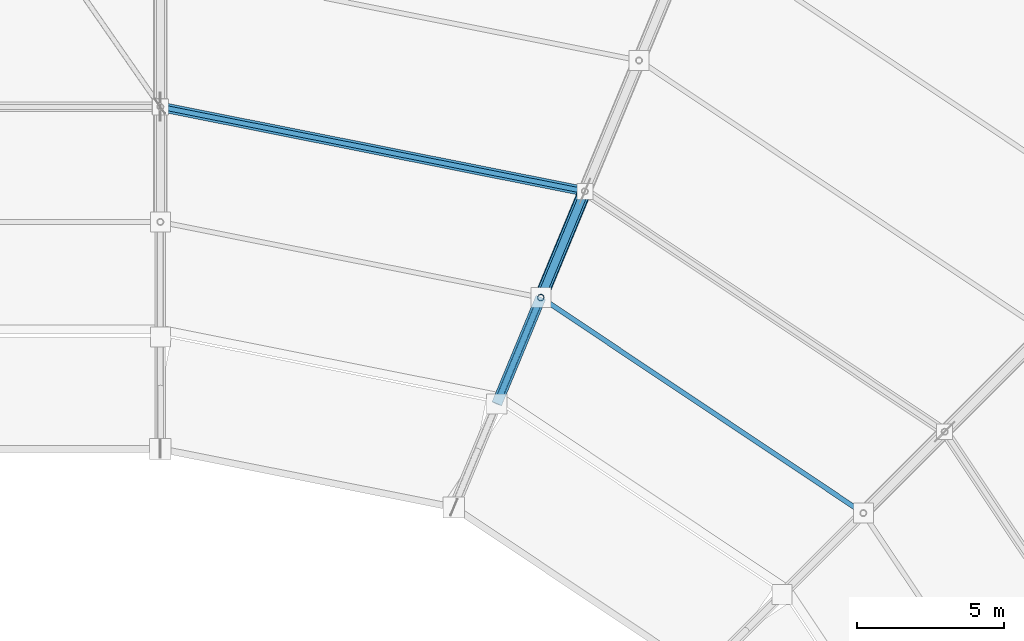
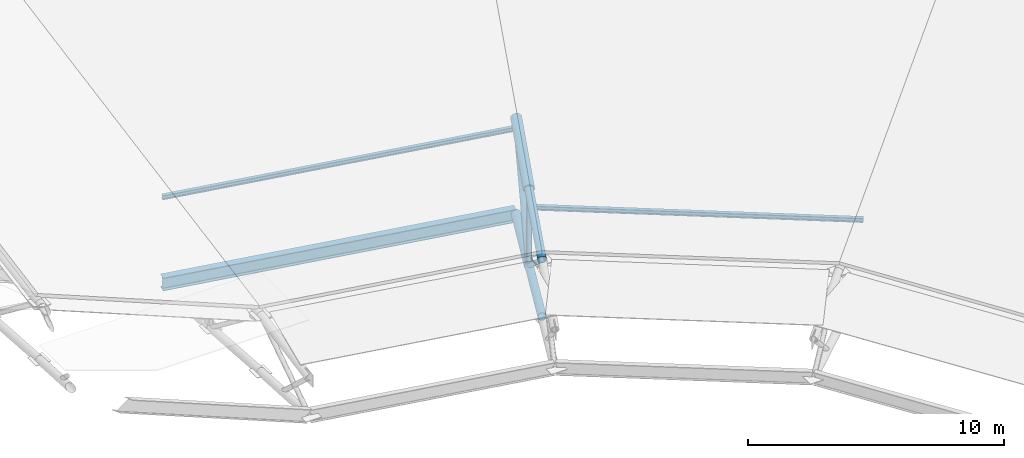
# One storey, part 79 of 146: 9 members, 1 beam.
"""IFC4 building model written with IfcOpenShell, lengths in metres."""

from ifc_helpers import new_model, si_unit, direction, frame, origin, origin_2d, place, context, subcontext, project, spatial, hollow_circle, i_section, extrude, material, material_profile, profile_set, type_object, element, save


model = new_model("IFC4")

# Units and contexts
model_context = context("Model", 3, precision=1e-05, world=origin(), true_north=direction((0.0, 1.0)))
body_context = subcontext(model_context, "Body", "Model", "MODEL_VIEW")
ifc_project = project(units=[si_unit("LENGTHUNIT", "METRE"), si_unit("AREAUNIT", "SQUARE_METRE"), si_unit("VOLUMEUNIT", "CUBIC_METRE"), si_unit("PLANEANGLEUNIT", "RADIAN"), si_unit("MASSUNIT", "GRAM", prefix="KILO")], contexts=[model_context])

# Site, building, storey
site_placement = place(None, origin())
site = spatial("IfcSite", under=ifc_project, at=site_placement, CompositionType="ELEMENT")
building_placement = place(site_placement, origin())
building = spatial("IfcBuilding", under=site, at=building_placement, Name="Candeia Ridge Stadium", CompositionType="ELEMENT")
storey_placement = place(building_placement, frame((0.0, 0.0, 31.800048828125)))
storey = spatial("IfcBuildingStorey", under=building, at=storey_placement, Name="RF", CompositionType="ELEMENT", Elevation=31.800048828125)

# Beam
ifc_material = material(Name="Steel ASTM A572 Grade 50", Category="steel")
ifc_material_profile_1 = material_profile(ifc_material, i_section(OverallWidth=0.324951171875, OverallDepth=0.615966796875, WebThickness=0.013916015625, FlangeThickness=0.021484375, FilletRadius=0.014892578125, at=origin_2d()), Name="W610x174", Category="steel")
ifc_profile_set_1 = profile_set([ifc_material_profile_1], Name="Steel ASTM A572 Grade 50")
beam_type = type_object("IfcBeamType", Name="Roof Compression Ring Beam W610x174", PredefinedType="BEAM", material=ifc_profile_set_1)
beam_placement = place(storey_placement, frame((155.349609375, 129.74560546875, -2.6640625), z_axis=(-0.980782874014, 0.195102419364, 0.0), x_axis=(-0.195102419364, -0.980782874014, 0.0)))
element("IfcBeam", 1, at=beam_placement, inside=storey, type_object=beam_type, Name="Roof compression ring beam bay 36", PredefinedType="BEAM", context=body_context, shape_type="SweptSolid", body=[
    extrude(i_section(OverallWidth=0.324951171875, OverallDepth=0.615966796875, WebThickness=0.013916015625, FlangeThickness=0.021484375, FilletRadius=0.014892578125, at=origin_2d()), origin(), (0.0, 0.0, 1.0), 14.590576171875),
])

# Members
ifc_material_profile_2 = material_profile(ifc_material, i_section(OverallWidth=0.1650390625, OverallDepth=0.200927734375, WebThickness=0.006103515625, FlangeThickness=0.01025390625, FilletRadius=0.010009765625, at=origin_2d()), Name="W200x35.9", Category="steel")
ifc_profile_set_2 = profile_set([ifc_material_profile_2], Name="Steel ASTM A572 Grade 50")
member_type_1 = type_object("IfcMemberType", Name="Roof Purlin W200x35.9", PredefinedType="PURLIN", material=ifc_profile_set_2)
member_1_placement = place(storey_placement, frame((164.787841796875, 118.857177734375, 0.3544921875), z_axis=(-0.831465523002, 0.555576353042, 0.0), x_axis=(-0.555576353042, -0.831465523002, 0.0)))
element("IfcMember", 2, at=member_1_placement, inside=storey, type_object=member_type_1, Name="Saddle roof steel purlin bay 35-1", PredefinedType="PURLIN", context=body_context, shape_type="SweptSolid", body=[
    extrude(i_section(OverallWidth=0.1650390625, OverallDepth=0.200927734375, WebThickness=0.006103515625, FlangeThickness=0.01025390625, FilletRadius=0.010009765625, at=origin_2d()), origin(), (0.0, 0.0, 1.0), 13.049072265625),
])
member_2_placement = place(storey_placement, frame((155.33984375, 129.74755859375, 1.416015625), z_axis=(-0.980783149699, 0.195101033486, 0.0), x_axis=(-0.195101033486, -0.980783149699, 0.0)))
element("IfcMember", 3, at=member_2_placement, inside=storey, type_object=member_type_1, Name="Saddle roof steel purlin bay 36-2", PredefinedType="PURLIN", context=body_context, shape_type="SweptSolid", body=[
    extrude(i_section(OverallWidth=0.1650390625, OverallDepth=0.200927734375, WebThickness=0.006103515625, FlangeThickness=0.01025390625, FilletRadius=0.010009765625, at=origin_2d()), origin(), (0.0, 0.0, 1.0), 14.57080078125),
])
ifc_material_profile_3 = material_profile(ifc_material, hollow_circle(Radius=0.136474609375, WallThickness=0.010009765625, at=origin_2d()), Name="CHS273x10", Category="steel")
ifc_profile_set_3 = profile_set([ifc_material_profile_3], Name="Steel ASTM A572 Grade 50")
member_type_2 = type_object("IfcMemberType", Name="Roof Truss Heavy Web Brace CHS273x10", PredefinedType="BRACE", material=ifc_profile_set_3)
member_3_placement = place(storey_placement, frame((153.896484375, 126.134765625, -2.444091796875), z_axis=(0.254477196729, 0.61435865685, 0.746863305498), x_axis=(-0.923878730261, 0.382685369162, 0.0)))
element("IfcMember", 4, at=member_3_placement, inside=storey, type_object=member_type_2, Name="Roof cantilever truss RT-36 diagonal web 3", PredefinedType="BRACE", context=body_context, shape_type="SweptSolid", body=[
    extrude(hollow_circle(Radius=0.136474609375, WallThickness=0.010009765625, at=origin_2d()), origin(), (0.0, 0.0, 1.0), 5.86474609375),
])
ifc_material_profile_4 = material_profile(ifc_material, hollow_circle(Radius=0.109619140625, WallThickness=0.010009765625, at=origin_2d()), Name="CHS219x10", Category="steel")
ifc_profile_set_4 = profile_set([ifc_material_profile_4], Name="Steel ASTM A572 Grade 50")
member_type_3 = type_object("IfcMemberType", Name="Roof Truss Inner Web Brace CHS219x10", PredefinedType="BRACE", material=ifc_profile_set_4)
member_4_placement = place(storey_placement, frame((152.404052734375, 122.531494140625, 0.54296875), z_axis=(0.303797893097, 0.73347834193, -0.608043059388), x_axis=(-0.923887897394, 0.382663237128, 0.0)))
element("IfcMember", 5, at=member_4_placement, inside=storey, type_object=member_type_3, Name="Roof cantilever truss RT-36 diagonal web 2", PredefinedType="BRACE", context=body_context, shape_type="SweptSolid", body=[
    extrude(hollow_circle(Radius=0.109619140625, WallThickness=0.010009765625, at=origin_2d()), origin(), (0.0, 0.0, 1.0), 4.91259765625),
])
member_5_placement = place(storey_placement, frame((153.896484375, 126.134765625, -2.444091796875), z_axis=(0.0, 0.0, 1.0), x_axis=(1.0, 0.0, 0.0)))
element("IfcMember", 6, at=member_5_placement, inside=storey, type_object=member_type_3, Name="Roof cantilever truss RT-36 vertical post 2", PredefinedType="BRACE", context=body_context, shape_type="SweptSolid", body=[
    extrude(hollow_circle(Radius=0.109619140625, WallThickness=0.010009765625, at=origin_2d()), origin(), (0.0, 0.0, 1.0), 3.658447265625),
])
ifc_material_profile_5 = material_profile(ifc_material, hollow_circle(Radius=0.228515625, WallThickness=0.02001953125, at=origin_2d()), Name="CHS457x20", Category="steel")
ifc_profile_set_5 = profile_set([ifc_material_profile_5], Name="Steel ASTM A572 Grade 50")
member_type_4 = type_object("IfcMemberType", Name="Roof Truss Main Chord CHS457x20", PredefinedType="CHORD", material=ifc_profile_set_5)
member_6_placement = place(storey_placement, frame((153.896484375, 126.134765625, 1.21435546875), z_axis=(0.376296661416, 0.908455116829, 0.181961873245), x_axis=(-0.923878730261, 0.382685369162, 0.0)))
element("IfcMember", 7, at=member_6_placement, inside=storey, type_object=member_type_4, Name="Roof cantilever truss RT-36 top chord 3", PredefinedType="CHORD", context=body_context, shape_type="SweptSolid", body=[
    extrude(hollow_circle(Radius=0.228515625, WallThickness=0.02001953125, at=origin_2d()), origin(), (0.0, 0.0, 1.0), 3.966064453125),
])
ifc_material_profile_6 = material_profile(ifc_material, hollow_circle(Radius=0.202880859375, WallThickness=0.01611328125, at=origin_2d()), Name="CHS406x16", Category="steel")
ifc_profile_set_6 = profile_set([ifc_material_profile_6], Name="Steel ASTM A572 Grade 50")
member_type_5 = type_object("IfcMemberType", Name="Roof Truss Outer Chord CHS406x16", PredefinedType="CHORD", material=ifc_profile_set_6)
member_7_placement = place(storey_placement, frame((153.896484375, 126.134765625, -2.444091796875), z_axis=(0.382078071491, 0.922412592682, -0.056314795095), x_axis=(-0.923878730261, 0.382685369162, 0.0)))
element("IfcMember", 8, at=member_7_placement, inside=storey, type_object=member_type_5, Name="Roof cantilever truss RT-36 bottom chord 3", PredefinedType="CHORD", context=body_context, shape_type="SweptSolid", body=[
    extrude(hollow_circle(Radius=0.202880859375, WallThickness=0.01611328125, at=origin_2d()), origin(), (0.0, 0.0, 1.0), 3.906005859375),
])
ifc_material_profile_7 = material_profile(ifc_material, hollow_circle(Radius=0.177734375, WallThickness=0.01416015625, at=origin_2d()), Name="CHS355x14", Category="steel")
ifc_profile_set_7 = profile_set([ifc_material_profile_7], Name="Steel ASTM A572 Grade 50")
member_type_6 = type_object("IfcMemberType", Name="Roof Truss Tip Chord CHS355x14", PredefinedType="CHORD", material=ifc_profile_set_7)
member_8_placement = place(storey_placement, frame((152.404052734375, 122.531494140625, 0.54296875), z_axis=(0.377116301866, 0.91049558306, 0.169649898599), x_axis=(-0.923887897394, 0.382663237128, 0.0)))
element("IfcMember", 9, at=member_8_placement, inside=storey, type_object=member_type_6, Name="Roof cantilever truss RT-36 top chord 2", PredefinedType="CHORD", context=body_context, shape_type="SweptSolid", body=[
    extrude(hollow_circle(Radius=0.177734375, WallThickness=0.01416015625, at=origin_2d()), origin(), (0.0, 0.0, 1.0), 3.95751953125),
])
member_9_placement = place(storey_placement, frame((152.404052734375, 122.531494140625, -2.17431640625), z_axis=(0.381751056295, 0.921685561894, -0.069006202717), x_axis=(-0.923887897394, 0.382663237128, 0.0)))
element("IfcMember", 10, at=member_9_placement, inside=storey, type_object=member_type_6, Name="Roof cantilever truss RT-36 bottom chord 2", PredefinedType="CHORD", context=body_context, shape_type="SweptSolid", body=[
    extrude(hollow_circle(Radius=0.177734375, WallThickness=0.01416015625, at=origin_2d()), origin(), (0.0, 0.0, 1.0), 3.909423828125),
])

save(model, "model.ifc")
